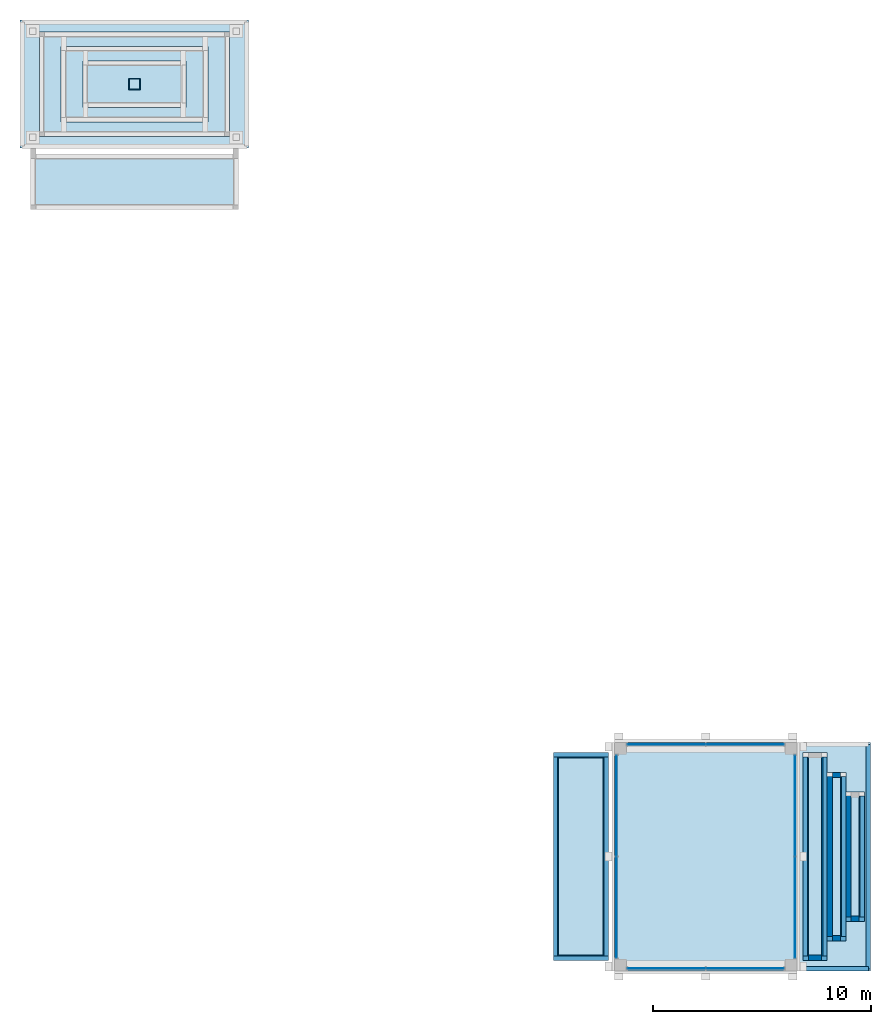
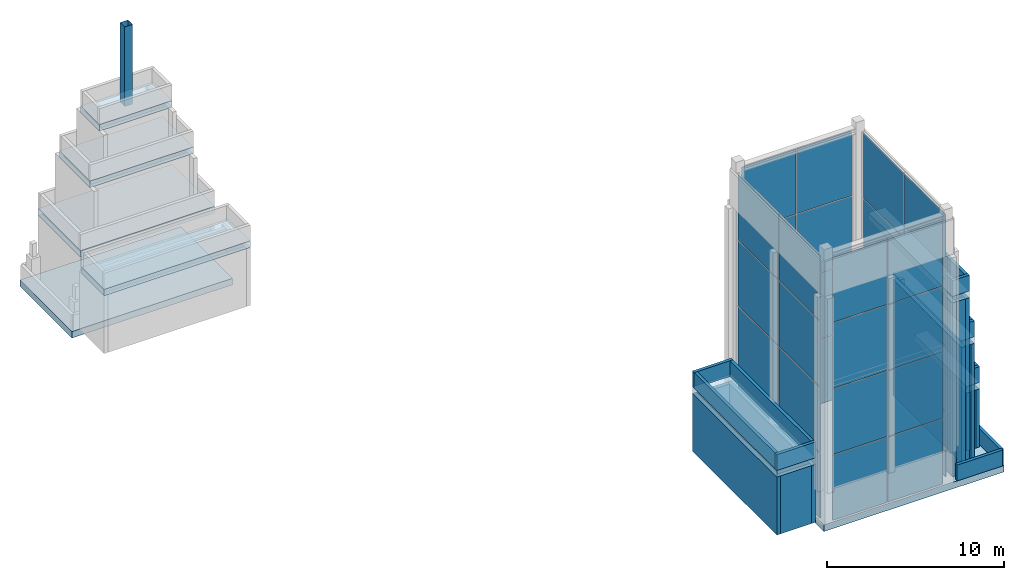
# One storey, part 2 of 4: 32 plates, 27 walls, 10 slabs, 1 member, 4 elements without a shape of their own.
"""IFC4 building model written with IfcOpenShell, lengths in metres."""

from ifc_helpers import new_model, si_unit, direction, frame, frame_2d, origin, origin_2d, place, context, subcontext, project, spatial, polyline, rectangle, hollow_rectangle, outline, extrude, source, transform, mapped, material, layer, layer_set, material_profile, profile_set, type_object, element, aggregate, save


model = new_model("IFC4")

# Units and contexts
model_context = context("Model", 3, precision=1e-05, world=origin(), true_north=direction((0.0, 1.0)))
body_context = subcontext(model_context, "Body", "Model", "MODEL_VIEW")
ifc_project = project(units=[si_unit("LENGTHUNIT", "METRE"), si_unit("AREAUNIT", "SQUARE_METRE"), si_unit("VOLUMEUNIT", "CUBIC_METRE"), si_unit("PLANEANGLEUNIT", "RADIAN"), si_unit("MASSUNIT", "GRAM", prefix="KILO")], contexts=[model_context])

# Site, building, storey
site_placement = place(None, origin())
site = spatial("IfcSite", under=ifc_project, at=site_placement, CompositionType="ELEMENT")
building_placement = place(site_placement, origin())
building = spatial("IfcBuilding", under=site, at=building_placement, Name="Aurelian Terraces", CompositionType="ELEMENT")
storey_placement = place(building_placement, frame((0.0, 0.0, 384.5)))
storey = spatial("IfcBuildingStorey", under=building, at=storey_placement, Name="L92", CompositionType="ELEMENT", Elevation=384.5)

# Member
ifc_material_1 = material(Name="Steel ASTM A500 Gr C", Category="steel")
ifc_material_profile = material_profile(ifc_material_1, hollow_rectangle(XDim=0.508, YDim=0.508, WallThickness=0.0148, at=origin_2d()))
ifc_profile_set = profile_set([ifc_material_profile], Name="Steel ASTM A500 Gr C")
member_type = type_object("IfcMemberType", Name="SPIRE MAST HSS20X20X5/8", PredefinedType="STUD", material=ifc_profile_set)
member_placement = place(storey_placement, frame((15.75, 40.74, 12.15), z_axis=(0.0, 0.0, 1.0), x_axis=(1.0, 0.0, 0.0)))
element("IfcMember", 1, at=member_placement, inside=storey, type_object=member_type, Name="Peak B mast", PredefinedType="STUD", context=body_context, shape_type="SweptSolid", body=[
    extrude(hollow_rectangle(XDim=0.508, YDim=0.508, WallThickness=0.0148, at=origin_2d()), origin(), (0.0, 0.0, 1.0), 5.5),
])

# Slabs
ifc_material_2 = material(Name="Concrete fc' 40 MPa", Category="concrete")
ifc_layer_1 = layer(ifc_material_2, 0.45)
ifc_layer_set_1 = layer_set([ifc_layer_1], Name="CROWN ROOF SLAB 450")
slab_type_1 = type_object("IfcSlabType", Name="CROWN ROOF SLAB 450", PredefinedType="ROOF", material=ifc_layer_set_1)
slab_1_placement = place(storey_placement, frame((0.0, 0.0, 12.0)))
element("IfcSlab", 2, at=slab_1_placement, inside=storey, type_object=slab_type_1, Name="Crown tier roof slab A3S1", PredefinedType="ROOF", context=body_context, shape_type="SweptSolid", body=[
    extrude(outline(polyline([(47.578, 0.475), (47.578, 10.025), (46.475, 10.025), (46.475, 0.475), (47.578, 0.475)])), origin(), (0.0, 0.0, 1.0), 0.45),
])
slab_2_placement = place(storey_placement, frame((0.0, 0.0, 8.0)))
element("IfcSlab", 3, at=slab_2_placement, inside=storey, type_object=slab_type_1, Name="Crown tier roof slab A3S2", PredefinedType="ROOF", context=body_context, shape_type="SweptSolid", body=[
    extrude(outline(polyline([(48.432, 1.375), (48.432, 9.125), (47.578, 9.125), (47.578, 1.375), (48.432, 1.375)])), origin(), (0.0, 0.0, 1.0), 0.45),
])
slab_3_placement = place(storey_placement, frame((0.0, 0.0, 4.0)))
element("IfcSlab", 4, at=slab_3_placement, inside=storey, type_object=slab_type_1, Name="Crown tier roof slab A3S3", PredefinedType="ROOF", context=body_context, shape_type="SweptSolid", body=[
    extrude(outline(polyline([(49.285, 2.275), (49.285, 8.225), (48.432, 8.225), (48.432, 2.275), (49.285, 2.275)])), origin(), (0.0, 0.0, 1.0), 0.45),
])
slab_4_placement = place(storey_placement, frame((0.0, 0.0, 4.0)))
element("IfcSlab", 5, at=slab_4_placement, inside=storey, type_object=slab_type_1, Name="Crown tier roof slab A1S3", PredefinedType="ROOF", context=body_context, shape_type="SweptSolid", body=[
    extrude(outline(polyline([(37.525, 0.475), (37.525, 10.025), (34.992, 10.025), (34.992, 0.475), (37.525, 0.475)])), origin(), (0.0, 0.0, 1.0), 0.45),
])
slab_5_placement = place(storey_placement, frame((0.0, 0.0, 4.5)))
element("IfcSlab", 6, at=slab_5_placement, inside=storey, type_object=slab_type_1, Name="Crown tier roof slab B1", PredefinedType="ROOF", context=body_context, shape_type="SweptSolid", body=[
    extrude(outline(polyline([(20.125, 38.338), (20.125, 43.142), (11.375, 43.142), (11.375, 38.338), (20.125, 38.338)])), origin(), (0.0, 0.0, 1.0), 0.45),
])
slab_6_placement = place(storey_placement, frame((0.0, 0.0, 8.55)))
element("IfcSlab", 7, at=slab_6_placement, inside=storey, type_object=slab_type_1, Name="Crown tier roof slab B2", PredefinedType="ROOF", context=body_context, shape_type="SweptSolid", body=[
    extrude(outline(polyline([(19.125, 39.002), (19.125, 42.478), (12.375, 42.478), (12.375, 39.002), (19.125, 39.002)])), origin(), (0.0, 0.0, 1.0), 0.45),
])
slab_7_placement = place(storey_placement, frame((0.0, 0.0, 11.7)))
element("IfcSlab", 8, at=slab_7_placement, inside=storey, type_object=slab_type_1, Name="Crown tier roof slab B3", PredefinedType="ROOF", context=body_context, shape_type="SweptSolid", body=[
    extrude(outline(polyline([(18.125, 39.665), (18.125, 41.815), (13.375, 41.815), (13.375, 39.665), (18.125, 39.665)])), origin(), (0.0, 0.0, 1.0), 0.45),
])
slab_8_placement = place(storey_placement, frame((0.0, 0.0, 4.0)))
element("IfcSlab", 9, at=slab_8_placement, inside=storey, type_object=slab_type_1, Name="Crown tier roof slab BS3", PredefinedType="ROOF", context=body_context, shape_type="SweptSolid", body=[
    extrude(outline(polyline([(20.525, 34.992), (20.525, 37.525), (10.975, 37.525), (10.975, 34.992), (20.525, 34.992)])), origin(), (0.0, 0.0, 1.0), 0.45),
])

# Curtain wall, plates
ifc_material_3 = material(Name="Anodised aluminium and clear glazing", Category="aluminium")
ifc_layer_2 = layer(ifc_material_3, 0.2)
ifc_layer_set_2 = layer_set([ifc_layer_2], Name="Crown glazing curtain wall")
curtain_wall_type = type_object("IfcCurtainWallType", Name="Crown glazing curtain wall", PredefinedType="NOTDEFINED", material=ifc_layer_set_2)
curtain_wall_1_placement = place(storey_placement, origin())
curtain_wall_1 = element("IfcCurtainWall", 10, at=curtain_wall_1_placement, inside=storey, type_object=curtain_wall_type, Name="Crown glazing L92 F01.1", PredefinedType="NOTDEFINED")
ifc_material_4 = material(Name="Clear glazing", Category="glass")
ifc_layer_3 = layer(ifc_material_4, 0.028)
ifc_layer_set_3 = layer_set([ifc_layer_3], Name="Crown glazing glazing panel")
plate_type = type_object("IfcPlateType", Name="Crown glazing glazing panel", PredefinedType="CURTAIN_PANEL", material=ifc_layer_set_3)
plate_1_placement = place(storey_placement, frame((40.19, 0.1, 0.06), z_axis=(0.0, 0.0, 1.0), x_axis=(1.0, 0.0, 0.0)))
plate_1 = element("IfcPlate", 11, at=plate_1_placement, type_object=plate_type, Name="CW4 panel 1.1", PredefinedType="CURTAIN_PANEL", context=body_context, shape_type="SweptSolid", body=[
    extrude(rectangle(XDim=3.56, YDim=0.028, at=origin_2d()), origin(), (0.0, 0.0, 1.0), 4.4725),
])
plate_2_placement = place(storey_placement, frame((40.19, 0.1, 4.5925), z_axis=(0.0, 0.0, 1.0), x_axis=(1.0, 0.0, 0.0)))
plate_2 = element("IfcPlate", 12, at=plate_2_placement, type_object=plate_type, Name="CW4 panel 1.2", PredefinedType="CURTAIN_PANEL", context=body_context, shape_type="SweptSolid", body=[
    extrude(rectangle(XDim=3.56, YDim=0.028, at=origin_2d()), origin(), (0.0, 0.0, 1.0), 4.5025),
])

curtain_wall_2_placement = place(storey_placement, origin())
curtain_wall_2 = element("IfcCurtainWall", 13, at=curtain_wall_2_placement, inside=storey, type_object=curtain_wall_type, Name="Crown glazing L92 F02.1", PredefinedType="NOTDEFINED")
plate_3_placement = place(storey_placement, frame((46.1, 2.915, 0.06), z_axis=(0.0, 0.0, 1.0), x_axis=(0.0, 1.0, 0.0)))
plate_3 = element("IfcPlate", 14, at=plate_3_placement, type_object=plate_type, Name="CW4 panel 1.1", PredefinedType="CURTAIN_PANEL", context=body_context, shape_type="SweptSolid", body=[
    extrude(rectangle(XDim=4.61, YDim=0.028, at=origin_2d()), origin(), (0.0, 0.0, 1.0), 4.4725),
])
plate_4_placement = place(storey_placement, frame((46.1, 2.915, 4.5925), z_axis=(0.0, 0.0, 1.0), x_axis=(0.0, 1.0, 0.0)))
plate_4 = element("IfcPlate", 15, at=plate_4_placement, type_object=plate_type, Name="CW4 panel 1.2", PredefinedType="CURTAIN_PANEL", context=body_context, shape_type="SweptSolid", body=[
    extrude(rectangle(XDim=4.61, YDim=0.028, at=origin_2d()), origin(), (0.0, 0.0, 1.0), 4.5025),
])

# Slabs
ifc_layer_4 = layer(ifc_material_2, 0.45)
ifc_layer_set_4 = layer_set([ifc_layer_4], Name="Roof slab 450")
slab_type_2 = type_object("IfcSlabType", Name="Roof slab 450", PredefinedType="ROOF", material=ifc_layer_set_4)
slab_9_placement = place(storey_placement, frame((0.0, 0.0, -0.45)))
element("IfcSlab", 16, at=slab_9_placement, inside=storey, type_object=slab_type_2, Name="Roof slab L92 L92-X1", PredefinedType="ROOF", context=body_context, shape_type="SweptSolid", body=[
    extrude(outline(polyline([(37.8, 10.5), (49.56, 10.5), (49.56, 6.3), (49.56, 4.2), (49.56, 0.0), (46.2, 0.0), (37.8, 0.0), (37.8, 10.5)])), origin(), (0.0, 0.0, 1.0), 0.45),
])
slab_10_placement = place(storey_placement, frame((0.0, 0.0, -0.45)))
element("IfcSlab", 17, at=slab_10_placement, inside=storey, type_object=slab_type_2, Name="Roof slab L92 L92-X2", PredefinedType="ROOF", context=body_context, shape_type="SweptSolid", body=[
    extrude(outline(polyline([(16.8, 43.68), (21.0, 43.68), (21.0, 37.8), (10.5, 37.8), (10.5, 43.68), (14.7, 43.68), (16.8, 43.68)])), origin(), (0.0, 0.0, 1.0), 0.45),
])

# Plate
shared_shape_1 = source(origin(), body_context, "Body", "SweptSolid", [
    extrude(rectangle(XDim=3.56, YDim=0.028, at=origin_2d()), origin(), (0.0, 0.0, 1.0), 4.5025),
])
plate_5_placement = place(storey_placement, frame((40.19, 0.1, 9.1549), z_axis=(0.0, 0.0, 1.0), x_axis=(1.0, 0.0, 0.0)))
plate_5 = element("IfcPlate", 18, at=plate_5_placement, type_object=plate_type, Name="CW4 panel 1.3", PredefinedType="CURTAIN_PANEL", context=body_context, shape_type="MappedRepresentation", body=[
    mapped(shared_shape_1, transform((0.0, 0.0, 0.0), scale=1.0)),
])

plate_6_placement = place(storey_placement, frame((43.81, 0.1, 4.5925), z_axis=(0.0, 0.0, 1.0), x_axis=(1.0, 0.0, 0.0)))
plate_6 = element("IfcPlate", 19, at=plate_6_placement, type_object=plate_type, Name="CW4 panel 2.2", PredefinedType="CURTAIN_PANEL", context=body_context, shape_type="MappedRepresentation", body=[
    mapped(shared_shape_1, transform((0.0, 0.0, 0.0), scale=1.0)),
])

plate_7_placement = place(storey_placement, frame((43.81, 0.1, 9.1549), z_axis=(0.0, 0.0, 1.0), x_axis=(1.0, 0.0, 0.0)))
plate_7 = element("IfcPlate", 20, at=plate_7_placement, type_object=plate_type, Name="CW4 panel 2.3", PredefinedType="CURTAIN_PANEL", context=body_context, shape_type="MappedRepresentation", body=[
    mapped(shared_shape_1, transform((0.0, 0.0, 0.0), scale=1.0)),
])

# Curtain wall, plates
curtain_wall_3_placement = place(storey_placement, origin())
curtain_wall_3 = element("IfcCurtainWall", 21, at=curtain_wall_3_placement, inside=storey, type_object=curtain_wall_type, Name="Crown glazing L92 F03.1", PredefinedType="NOTDEFINED")
plate_8_placement = place(storey_placement, frame((43.81, 10.4, 4.5925), z_axis=(0.0, 0.0, 1.0), x_axis=(-1.0, 0.0, 0.0)))
plate_8 = element("IfcPlate", 22, at=plate_8_placement, type_object=plate_type, Name="CW4 panel 1.2", PredefinedType="CURTAIN_PANEL", context=body_context, shape_type="MappedRepresentation", body=[
    mapped(shared_shape_1, transform((0.0, 0.0, 0.0), scale=1.0)),
])
plate_9_placement = place(storey_placement, frame((43.81, 10.4, 9.1549), z_axis=(0.0, 0.0, 1.0), x_axis=(-1.0, 0.0, 0.0)))
plate_9 = element("IfcPlate", 23, at=plate_9_placement, type_object=plate_type, Name="CW4 panel 1.3", PredefinedType="CURTAIN_PANEL", context=body_context, shape_type="MappedRepresentation", body=[
    mapped(shared_shape_1, transform((0.0, 0.0, 0.0), scale=1.0)),
])
plate_10_placement = place(storey_placement, frame((40.19, 10.4, 4.5925), z_axis=(0.0, 0.0, 1.0), x_axis=(-1.0, 0.0, 0.0)))
plate_10 = element("IfcPlate", 24, at=plate_10_placement, type_object=plate_type, Name="CW4 panel 2.2", PredefinedType="CURTAIN_PANEL", context=body_context, shape_type="MappedRepresentation", body=[
    mapped(shared_shape_1, transform((0.0, 0.0, 0.0), scale=1.0)),
])
plate_11_placement = place(storey_placement, frame((40.19, 10.4, 9.1549), z_axis=(0.0, 0.0, 1.0), x_axis=(-1.0, 0.0, 0.0)))
plate_11 = element("IfcPlate", 25, at=plate_11_placement, type_object=plate_type, Name="CW4 panel 2.3", PredefinedType="CURTAIN_PANEL", context=body_context, shape_type="MappedRepresentation", body=[
    mapped(shared_shape_1, transform((0.0, 0.0, 0.0), scale=1.0)),
])

# Plate
shared_shape_2 = source(origin(), body_context, "Body", "SweptSolid", [
    extrude(rectangle(XDim=3.56, YDim=0.028, at=origin_2d()), origin(), (0.0, 0.0, 1.0), 4.4725),
])
plate_12_placement = place(storey_placement, frame((40.19, 0.1, 13.7176), z_axis=(0.0, 0.0, 1.0), x_axis=(1.0, 0.0, 0.0)))
plate_12 = element("IfcPlate", 26, at=plate_12_placement, type_object=plate_type, Name="CW4 panel 1.4", PredefinedType="CURTAIN_PANEL", context=body_context, shape_type="MappedRepresentation", body=[
    mapped(shared_shape_2, transform((0.0, 0.0, 0.0), scale=1.0)),
])

plate_13_placement = place(storey_placement, frame((43.81, 0.1, 0.06), z_axis=(0.0, 0.0, 1.0), x_axis=(1.0, 0.0, 0.0)))
plate_13 = element("IfcPlate", 27, at=plate_13_placement, type_object=plate_type, Name="CW4 panel 2.1", PredefinedType="CURTAIN_PANEL", context=body_context, shape_type="MappedRepresentation", body=[
    mapped(shared_shape_2, transform((0.0, 0.0, 0.0), scale=1.0)),
])

plate_14_placement = place(storey_placement, frame((43.81, 0.1, 13.7176), z_axis=(0.0, 0.0, 1.0), x_axis=(1.0, 0.0, 0.0)))
plate_14 = element("IfcPlate", 28, at=plate_14_placement, type_object=plate_type, Name="CW4 panel 2.4", PredefinedType="CURTAIN_PANEL", context=body_context, shape_type="MappedRepresentation", body=[
    mapped(shared_shape_2, transform((0.0, 0.0, 0.0), scale=1.0)),
])

aggregate(curtain_wall_1, [plate_1, plate_2, plate_5, plate_12, plate_13, plate_6, plate_7, plate_14])

plate_15_placement = place(storey_placement, frame((43.81, 10.4, 0.06), z_axis=(0.0, 0.0, 1.0), x_axis=(-1.0, 0.0, 0.0)))
plate_15 = element("IfcPlate", 29, at=plate_15_placement, type_object=plate_type, Name="CW4 panel 1.1", PredefinedType="CURTAIN_PANEL", context=body_context, shape_type="MappedRepresentation", body=[
    mapped(shared_shape_2, transform((0.0, 0.0, 0.0), scale=1.0)),
])

plate_16_placement = place(storey_placement, frame((43.81, 10.4, 13.7176), z_axis=(0.0, 0.0, 1.0), x_axis=(-1.0, 0.0, 0.0)))
plate_16 = element("IfcPlate", 30, at=plate_16_placement, type_object=plate_type, Name="CW4 panel 1.4", PredefinedType="CURTAIN_PANEL", context=body_context, shape_type="MappedRepresentation", body=[
    mapped(shared_shape_2, transform((0.0, 0.0, 0.0), scale=1.0)),
])

plate_17_placement = place(storey_placement, frame((40.19, 10.4, 0.06), z_axis=(0.0, 0.0, 1.0), x_axis=(-1.0, 0.0, 0.0)))
plate_17 = element("IfcPlate", 31, at=plate_17_placement, type_object=plate_type, Name="CW4 panel 2.1", PredefinedType="CURTAIN_PANEL", context=body_context, shape_type="MappedRepresentation", body=[
    mapped(shared_shape_2, transform((0.0, 0.0, 0.0), scale=1.0)),
])

plate_18_placement = place(storey_placement, frame((40.19, 10.4, 13.7176), z_axis=(0.0, 0.0, 1.0), x_axis=(-1.0, 0.0, 0.0)))
plate_18 = element("IfcPlate", 32, at=plate_18_placement, type_object=plate_type, Name="CW4 panel 2.4", PredefinedType="CURTAIN_PANEL", context=body_context, shape_type="MappedRepresentation", body=[
    mapped(shared_shape_2, transform((0.0, 0.0, 0.0), scale=1.0)),
])

aggregate(curtain_wall_3, [plate_15, plate_8, plate_9, plate_16, plate_17, plate_10, plate_11, plate_18])

shared_shape_3 = source(origin(), body_context, "Body", "SweptSolid", [
    extrude(rectangle(XDim=4.61, YDim=0.028, at=origin_2d()), origin(), (0.0, 0.0, 1.0), 4.5025),
])
plate_19_placement = place(storey_placement, frame((46.1, 2.915, 9.1549), z_axis=(0.0, 0.0, 1.0), x_axis=(0.0, 1.0, 0.0)))
plate_19 = element("IfcPlate", 33, at=plate_19_placement, type_object=plate_type, Name="CW4 panel 1.3", PredefinedType="CURTAIN_PANEL", context=body_context, shape_type="MappedRepresentation", body=[
    mapped(shared_shape_3, transform((0.0, 0.0, 0.0), scale=1.0)),
])

plate_20_placement = place(storey_placement, frame((46.1, 7.585, 4.5925), z_axis=(0.0, 0.0, 1.0), x_axis=(0.0, 1.0, 0.0)))
plate_20 = element("IfcPlate", 34, at=plate_20_placement, type_object=plate_type, Name="CW4 panel 2.2", PredefinedType="CURTAIN_PANEL", context=body_context, shape_type="MappedRepresentation", body=[
    mapped(shared_shape_3, transform((0.0, 0.0, 0.0), scale=1.0)),
])

plate_21_placement = place(storey_placement, frame((46.1, 7.585, 9.1549), z_axis=(0.0, 0.0, 1.0), x_axis=(0.0, 1.0, 0.0)))
plate_21 = element("IfcPlate", 35, at=plate_21_placement, type_object=plate_type, Name="CW4 panel 2.3", PredefinedType="CURTAIN_PANEL", context=body_context, shape_type="MappedRepresentation", body=[
    mapped(shared_shape_3, transform((0.0, 0.0, 0.0), scale=1.0)),
])

# Curtain wall, plates
curtain_wall_4_placement = place(storey_placement, origin())
curtain_wall_4 = element("IfcCurtainWall", 36, at=curtain_wall_4_placement, inside=storey, type_object=curtain_wall_type, Name="Crown glazing L92 F04.1", PredefinedType="NOTDEFINED")
plate_22_placement = place(storey_placement, frame((37.9, 7.585, 4.5925), z_axis=(0.0, 0.0, 1.0), x_axis=(0.0, -1.0, 0.0)))
plate_22 = element("IfcPlate", 37, at=plate_22_placement, type_object=plate_type, Name="CW4 panel 1.2", PredefinedType="CURTAIN_PANEL", context=body_context, shape_type="MappedRepresentation", body=[
    mapped(shared_shape_3, transform((0.0, 0.0, 0.0), scale=1.0)),
])
plate_23_placement = place(storey_placement, frame((37.9, 7.585, 9.1549), z_axis=(0.0, 0.0, 1.0), x_axis=(0.0, -1.0, 0.0)))
plate_23 = element("IfcPlate", 38, at=plate_23_placement, type_object=plate_type, Name="CW4 panel 1.3", PredefinedType="CURTAIN_PANEL", context=body_context, shape_type="MappedRepresentation", body=[
    mapped(shared_shape_3, transform((0.0, 0.0, 0.0), scale=1.0)),
])
plate_24_placement = place(storey_placement, frame((37.9, 2.915, 4.5925), z_axis=(0.0, 0.0, 1.0), x_axis=(0.0, -1.0, 0.0)))
plate_24 = element("IfcPlate", 39, at=plate_24_placement, type_object=plate_type, Name="CW4 panel 2.2", PredefinedType="CURTAIN_PANEL", context=body_context, shape_type="MappedRepresentation", body=[
    mapped(shared_shape_3, transform((0.0, 0.0, 0.0), scale=1.0)),
])
plate_25_placement = place(storey_placement, frame((37.9, 2.915, 9.1549), z_axis=(0.0, 0.0, 1.0), x_axis=(0.0, -1.0, 0.0)))
plate_25 = element("IfcPlate", 40, at=plate_25_placement, type_object=plate_type, Name="CW4 panel 2.3", PredefinedType="CURTAIN_PANEL", context=body_context, shape_type="MappedRepresentation", body=[
    mapped(shared_shape_3, transform((0.0, 0.0, 0.0), scale=1.0)),
])

# Plate
shared_shape_4 = source(origin(), body_context, "Body", "SweptSolid", [
    extrude(rectangle(XDim=4.61, YDim=0.028, at=origin_2d()), origin(), (0.0, 0.0, 1.0), 4.4725),
])
plate_26_placement = place(storey_placement, frame((46.1, 2.915, 13.7176), z_axis=(0.0, 0.0, 1.0), x_axis=(0.0, 1.0, 0.0)))
plate_26 = element("IfcPlate", 41, at=plate_26_placement, type_object=plate_type, Name="CW4 panel 1.4", PredefinedType="CURTAIN_PANEL", context=body_context, shape_type="MappedRepresentation", body=[
    mapped(shared_shape_4, transform((0.0, 0.0, 0.0), scale=1.0)),
])

plate_27_placement = place(storey_placement, frame((46.1, 7.585, 0.06), z_axis=(0.0, 0.0, 1.0), x_axis=(0.0, 1.0, 0.0)))
plate_27 = element("IfcPlate", 42, at=plate_27_placement, type_object=plate_type, Name="CW4 panel 2.1", PredefinedType="CURTAIN_PANEL", context=body_context, shape_type="MappedRepresentation", body=[
    mapped(shared_shape_4, transform((0.0, 0.0, 0.0), scale=1.0)),
])

plate_28_placement = place(storey_placement, frame((46.1, 7.585, 13.7176), z_axis=(0.0, 0.0, 1.0), x_axis=(0.0, 1.0, 0.0)))
plate_28 = element("IfcPlate", 43, at=plate_28_placement, type_object=plate_type, Name="CW4 panel 2.4", PredefinedType="CURTAIN_PANEL", context=body_context, shape_type="MappedRepresentation", body=[
    mapped(shared_shape_4, transform((0.0, 0.0, 0.0), scale=1.0)),
])

aggregate(curtain_wall_2, [plate_3, plate_4, plate_19, plate_26, plate_27, plate_20, plate_21, plate_28])

plate_29_placement = place(storey_placement, frame((37.9, 7.585, 0.06), z_axis=(0.0, 0.0, 1.0), x_axis=(0.0, -1.0, 0.0)))
plate_29 = element("IfcPlate", 44, at=plate_29_placement, type_object=plate_type, Name="CW4 panel 1.1", PredefinedType="CURTAIN_PANEL", context=body_context, shape_type="MappedRepresentation", body=[
    mapped(shared_shape_4, transform((0.0, 0.0, 0.0), scale=1.0)),
])

plate_30_placement = place(storey_placement, frame((37.9, 7.585, 13.7176), z_axis=(0.0, 0.0, 1.0), x_axis=(0.0, -1.0, 0.0)))
plate_30 = element("IfcPlate", 45, at=plate_30_placement, type_object=plate_type, Name="CW4 panel 1.4", PredefinedType="CURTAIN_PANEL", context=body_context, shape_type="MappedRepresentation", body=[
    mapped(shared_shape_4, transform((0.0, 0.0, 0.0), scale=1.0)),
])

plate_31_placement = place(storey_placement, frame((37.9, 2.915, 0.06), z_axis=(0.0, 0.0, 1.0), x_axis=(0.0, -1.0, 0.0)))
plate_31 = element("IfcPlate", 46, at=plate_31_placement, type_object=plate_type, Name="CW4 panel 2.1", PredefinedType="CURTAIN_PANEL", context=body_context, shape_type="MappedRepresentation", body=[
    mapped(shared_shape_4, transform((0.0, 0.0, 0.0), scale=1.0)),
])

plate_32_placement = place(storey_placement, frame((37.9, 2.915, 13.7176), z_axis=(0.0, 0.0, 1.0), x_axis=(0.0, -1.0, 0.0)))
plate_32 = element("IfcPlate", 47, at=plate_32_placement, type_object=plate_type, Name="CW4 panel 2.4", PredefinedType="CURTAIN_PANEL", context=body_context, shape_type="MappedRepresentation", body=[
    mapped(shared_shape_4, transform((0.0, 0.0, 0.0), scale=1.0)),
])

aggregate(curtain_wall_4, [plate_29, plate_22, plate_23, plate_30, plate_31, plate_24, plate_25, plate_32])

# Walls
ifc_layer_5 = layer(ifc_material_2, 0.2)
ifc_layer_set_5 = layer_set([ifc_layer_5], Name="CROWN PARAPET 200 FC40")
wall_type_1 = type_object("IfcWallType", Name="CROWN PARAPET 200 FC40", PredefinedType="SOLIDWALL", material=ifc_layer_set_5)
wall_1_placement = place(storey_placement, frame((46.475, 0.575, 12.45), z_axis=(0.0, 0.0, 1.0), x_axis=(1.0, 0.0, 0.0)))
element("IfcWall", 48, at=wall_1_placement, inside=storey, type_object=wall_type_1, Name="Crown roof parapet A3S1", PredefinedType="SOLIDWALL", context=body_context, shape_type="SweptSolid", body=[
    extrude(rectangle(XDim=1.103, YDim=0.2, at=frame_2d((0.5515, 0.0))), origin(), (0.0, 0.0, 1.0), 1.1),
])
wall_2_placement = place(storey_placement, frame((47.578, 1.475, 8.45), z_axis=(0.0, 0.0, 1.0), x_axis=(1.0, 0.0, 0.0)))
element("IfcWall", 49, at=wall_2_placement, inside=storey, type_object=wall_type_1, Name="Crown roof parapet A3S2", PredefinedType="SOLIDWALL", context=body_context, shape_type="SweptSolid", body=[
    extrude(rectangle(XDim=0.854, YDim=0.2, at=frame_2d((0.427, 0.0))), origin(), (0.0, 0.0, 1.0), 1.1),
])
wall_3_placement = place(storey_placement, frame((48.432, 2.375, 4.45), z_axis=(0.0, 0.0, 1.0), x_axis=(1.0, 0.0, 0.0)))
element("IfcWall", 50, at=wall_3_placement, inside=storey, type_object=wall_type_1, Name="Crown roof parapet A3S3", PredefinedType="SOLIDWALL", context=body_context, shape_type="SweptSolid", body=[
    extrude(rectangle(XDim=0.853, YDim=0.2, at=frame_2d((0.4265, 0.0))), origin(), (0.0, 0.0, 1.0), 1.1),
])
wall_4_placement = place(storey_placement, frame((49.185, 2.475, 4.45), z_axis=(0.0, 0.0, 1.0), x_axis=(0.0, 1.0, 0.0)))
element("IfcWall", 51, at=wall_4_placement, inside=storey, type_object=wall_type_1, Name="Crown roof parapet A3S3", PredefinedType="SOLIDWALL", context=body_context, shape_type="SweptSolid", body=[
    extrude(rectangle(XDim=5.55, YDim=0.2, at=frame_2d((2.775, 0.0))), origin(), (0.0, 0.0, 1.0), 1.1),
])
wall_5_placement = place(storey_placement, frame((34.992, 0.575, 4.45), z_axis=(0.0, 0.0, 1.0), x_axis=(1.0, 0.0, 0.0)))
element("IfcWall", 52, at=wall_5_placement, inside=storey, type_object=wall_type_1, Name="Crown roof parapet A1S3", PredefinedType="SOLIDWALL", context=body_context, shape_type="SweptSolid", body=[
    extrude(rectangle(XDim=2.533, YDim=0.2, at=frame_2d((1.2665, 0.0))), origin(), (0.0, 0.0, 1.0), 1.1),
])
ifc_material_5 = material(Name="Terracotta rainscreen cladding", Category="masonry")
ifc_layer_6 = layer(ifc_material_5, 0.2)
ifc_layer_set_6 = layer_set([ifc_layer_6], Name="PARAPET-200")
wall_type_2 = type_object("IfcWallType", Name="PARAPET-200", PredefinedType="PARAPET", material=ifc_layer_set_6)
wall_6_placement = place(storey_placement, frame((49.47, 10.41, 0.0), z_axis=(0.0, 0.0, 1.0), x_axis=(0.0, -1.0, 0.0)))
element("IfcWall", 53, at=wall_6_placement, inside=storey, type_object=wall_type_2, Name="Parapet L92 L92-X1", PredefinedType="PARAPET", context=body_context, shape_type="SweptSolid", body=[
    extrude(rectangle(XDim=10.32, YDim=0.2, at=frame_2d((5.16, 0.0))), origin(), (0.0, 0.0, 1.0), 1.1),
])
ifc_material_6 = material(Name="Concrete fc' 55 MPa", Category="concrete")
ifc_layer_7 = layer(ifc_material_6, 0.25)
ifc_layer_set_7 = layer_set([ifc_layer_7], Name="PLANT PENTHOUSE 250 FC55")
wall_type_3 = type_object("IfcWallType", Name="PLANT PENTHOUSE 250 FC55", PredefinedType="SOLIDWALL", material=ifc_layer_set_7)
wall_7_placement = place(storey_placement, frame((46.725, 0.6, 0.0), z_axis=(0.0, 0.0, 1.0), x_axis=(1.0, 0.0, 0.0)))
element("IfcWall", 54, at=wall_7_placement, inside=storey, type_object=wall_type_3, Name="Crown tier wall A3S1", PredefinedType="SOLIDWALL", context=body_context, shape_type="SweptSolid", body=[
    extrude(rectangle(XDim=0.603, YDim=0.25, at=frame_2d((0.3015, 0.0))), origin(), (0.0, 0.0, 1.0), 12.0),
])
wall_8_placement = place(storey_placement, frame((47.453, 0.475, 0.0), z_axis=(0.0, 0.0, 1.0), x_axis=(0.0, 1.0, 0.0)))
element("IfcWall", 55, at=wall_8_placement, inside=storey, type_object=wall_type_3, Name="Crown tier wall A3S1", PredefinedType="SOLIDWALL", context=body_context, shape_type="SweptSolid", body=[
    extrude(rectangle(XDim=9.55, YDim=0.25, at=frame_2d((4.775, 0.0))), origin(), (0.0, 0.0, 1.0), 12.0),
])
wall_9_placement = place(storey_placement, frame((47.828, 1.5, 0.0), z_axis=(0.0, 0.0, 1.0), x_axis=(1.0, 0.0, 0.0)))
element("IfcWall", 56, at=wall_9_placement, inside=storey, type_object=wall_type_3, Name="Crown tier wall A3S2", PredefinedType="SOLIDWALL", context=body_context, shape_type="SweptSolid", body=[
    extrude(rectangle(XDim=0.354, YDim=0.25, at=frame_2d((0.177, 0.0))), origin(), (0.0, 0.0, 1.0), 8.0),
])
wall_10_placement = place(storey_placement, frame((48.682, 2.4, 0.0), z_axis=(0.0, 0.0, 1.0), x_axis=(1.0, 0.0, 0.0)))
element("IfcWall", 57, at=wall_10_placement, inside=storey, type_object=wall_type_3, Name="Crown tier wall A3S3", PredefinedType="SOLIDWALL", context=body_context, shape_type="SweptSolid", body=[
    extrude(rectangle(XDim=0.353, YDim=0.25, at=frame_2d((0.1765, 0.0))), origin(), (0.0, 0.0, 1.0), 4.0),
])
wall_11_placement = place(storey_placement, frame((49.16, 2.275, 0.0), z_axis=(0.0, 0.0, 1.0), x_axis=(0.0, 1.0, 0.0)))
element("IfcWall", 58, at=wall_11_placement, inside=storey, type_object=wall_type_3, Name="Crown tier wall A3S3", PredefinedType="SOLIDWALL", context=body_context, shape_type="SweptSolid", body=[
    extrude(rectangle(XDim=5.95, YDim=0.25, at=frame_2d((2.975, 0.0))), origin(), (0.0, 0.0, 1.0), 4.0),
])
wall_12_placement = place(storey_placement, frame((35.242, 0.6, 0.0), z_axis=(0.0, 0.0, 1.0), x_axis=(1.0, 0.0, 0.0)))
element("IfcWall", 59, at=wall_12_placement, inside=storey, type_object=wall_type_3, Name="Crown tier wall A1S3", PredefinedType="SOLIDWALL", context=body_context, shape_type="SweptSolid", body=[
    extrude(rectangle(XDim=2.033, YDim=0.25, at=frame_2d((1.0165, 0.0))), origin(), (0.0, 0.0, 1.0), 4.0),
])
wall_13_placement = place(storey_placement, frame((37.4, 0.475, 0.0), z_axis=(0.0, 0.0, 1.0), x_axis=(0.0, 1.0, 0.0)))
element("IfcWall", 60, at=wall_13_placement, inside=storey, type_object=wall_type_3, Name="Crown tier wall A1S3", PredefinedType="SOLIDWALL", context=body_context, shape_type="SweptSolid", body=[
    extrude(rectangle(XDim=9.55, YDim=0.25, at=frame_2d((4.775, 0.0))), origin(), (0.0, 0.0, 1.0), 4.0),
])
shared_shape_5 = source(origin(), body_context, "Body", "SweptSolid", [
    extrude(rectangle(XDim=9.15, YDim=0.2, at=frame_2d((4.575, 0.0))), origin(), (0.0, 0.0, 1.0), 1.1),
])
for number, where, z_axis, x_axis, name in (
    (61, (47.478, 0.675, 12.45), (0.0, 0.0, 1.0), (0.0, 1.0, 0.0), "Crown roof parapet A3S1"),
    (62, (46.575, 0.675, 12.45), (0.0, 0.0, 1.0), (0.0, 1.0, 0.0), "Crown roof parapet A3S1"),
    (63, (37.425, 0.675, 4.45), (0.0, 0.0, 1.0), (0.0, 1.0, 0.0), "Crown roof parapet A1S3"),
    (64, (35.092, 0.675, 4.45), (0.0, 0.0, 1.0), (0.0, 1.0, 0.0), "Crown roof parapet A1S3"),
):
    element("IfcWall", number, at=place(storey_placement, frame(where, z_axis=z_axis, x_axis=x_axis)), inside=storey, type_object=wall_type_1, Name=name, PredefinedType="SOLIDWALL", context=body_context, shape_type="MappedRepresentation", body=[
        mapped(shared_shape_5, transform((0.0, 0.0, 0.0), scale=1.0)),
    ])
shared_shape_6 = source(origin(), body_context, "Body", "SweptSolid", [
    extrude(rectangle(XDim=7.75, YDim=0.25, at=frame_2d((3.875, 0.0))), origin(), (0.0, 0.0, 1.0), 8.0),
])
for number, where, z_axis, x_axis, name in (
    (65, (48.307, 1.375, 0.0), (0.0, 0.0, 1.0), (0.0, 1.0, 0.0), "Crown tier wall A3S2"),
    (66, (47.703, 9.125, 0.0), (0.0, 0.0, 1.0), (0.0, -1.0, 0.0), "Crown tier wall A3S2"),
):
    element("IfcWall", number, at=place(storey_placement, frame(where, z_axis=z_axis, x_axis=x_axis)), inside=storey, type_object=wall_type_3, Name=name, PredefinedType="SOLIDWALL", context=body_context, shape_type="MappedRepresentation", body=[
        mapped(shared_shape_6, transform((0.0, 0.0, 0.0), scale=1.0)),
    ])
shared_shape_7 = source(origin(), body_context, "Body", "SweptSolid", [
    extrude(rectangle(XDim=7.35, YDim=0.2, at=frame_2d((3.675, 0.0))), origin(), (0.0, 0.0, 1.0), 1.1),
])
wall_14_placement = place(storey_placement, frame((48.332, 1.575, 8.45), z_axis=(0.0, 0.0, 1.0), x_axis=(0.0, 1.0, 0.0)))
element("IfcWall", 67, at=wall_14_placement, inside=storey, type_object=wall_type_1, Name="Crown roof parapet A3S2", PredefinedType="SOLIDWALL", context=body_context, shape_type="MappedRepresentation", body=[
    mapped(shared_shape_7, transform((0.0, 0.0, 0.0), scale=1.0)),
])
shared_shape_8 = source(origin(), body_context, "Body", "SweptSolid", [
    extrude(rectangle(XDim=9.55, YDim=0.25, at=frame_2d((4.775, 0.0))), origin(), (0.0, 0.0, 1.0), 12.0),
])
wall_15_placement = place(storey_placement, frame((46.6, 10.025, 0.0), z_axis=(0.0, 0.0, 1.0), x_axis=(0.0, -1.0, 0.0)))
element("IfcWall", 68, at=wall_15_placement, inside=storey, type_object=wall_type_3, Name="Crown tier wall A3S1", PredefinedType="SOLIDWALL", context=body_context, shape_type="MappedRepresentation", body=[
    mapped(shared_shape_8, transform((0.0, 0.0, 0.0), scale=1.0)),
])
shared_shape_9 = source(origin(), body_context, "Body", "SweptSolid", [
    extrude(rectangle(XDim=0.354, YDim=0.25, at=frame_2d((0.177, 0.0))), origin(), (0.0, 0.0, 1.0), 8.0),
])
wall_16_placement = place(storey_placement, frame((48.182, 9.0, 0.0), z_axis=(0.0, 0.0, 1.0), x_axis=(-1.0, 0.0, 0.0)))
element("IfcWall", 69, at=wall_16_placement, inside=storey, type_object=wall_type_3, Name="Crown tier wall A3S2", PredefinedType="SOLIDWALL", context=body_context, shape_type="MappedRepresentation", body=[
    mapped(shared_shape_9, transform((0.0, 0.0, 0.0), scale=1.0)),
])
shared_shape_10 = source(origin(), body_context, "Body", "SweptSolid", [
    extrude(rectangle(XDim=5.95, YDim=0.25, at=frame_2d((2.975, 0.0))), origin(), (0.0, 0.0, 1.0), 4.0),
])
wall_17_placement = place(storey_placement, frame((48.557, 8.225, 0.0), z_axis=(0.0, 0.0, 1.0), x_axis=(0.0, -1.0, 0.0)))
element("IfcWall", 70, at=wall_17_placement, inside=storey, type_object=wall_type_3, Name="Crown tier wall A3S3", PredefinedType="SOLIDWALL", context=body_context, shape_type="MappedRepresentation", body=[
    mapped(shared_shape_10, transform((0.0, 0.0, 0.0), scale=1.0)),
])
shared_shape_11 = source(origin(), body_context, "Body", "SweptSolid", [
    extrude(rectangle(XDim=2.033, YDim=0.25, at=frame_2d((1.0165, 0.0))), origin(), (0.0, 0.0, 1.0), 4.0),
])
wall_18_placement = place(storey_placement, frame((37.275, 9.9, 0.0), z_axis=(0.0, 0.0, 1.0), x_axis=(-1.0, 0.0, 0.0)))
element("IfcWall", 71, at=wall_18_placement, inside=storey, type_object=wall_type_3, Name="Crown tier wall A1S3", PredefinedType="SOLIDWALL", context=body_context, shape_type="MappedRepresentation", body=[
    mapped(shared_shape_11, transform((0.0, 0.0, 0.0), scale=1.0)),
])
shared_shape_12 = source(origin(), body_context, "Body", "SweptSolid", [
    extrude(rectangle(XDim=9.55, YDim=0.25, at=frame_2d((4.775, 0.0))), origin(), (0.0, 0.0, 1.0), 4.0),
])
wall_19_placement = place(storey_placement, frame((35.117, 10.025, 0.0), z_axis=(0.0, 0.0, 1.0), x_axis=(0.0, -1.0, 0.0)))
element("IfcWall", 72, at=wall_19_placement, inside=storey, type_object=wall_type_3, Name="Crown tier wall A1S3", PredefinedType="SOLIDWALL", context=body_context, shape_type="MappedRepresentation", body=[
    mapped(shared_shape_12, transform((0.0, 0.0, 0.0), scale=1.0)),
])
shared_shape_13 = source(origin(), body_context, "Body", "SweptSolid", [
    extrude(rectangle(XDim=2.533, YDim=0.2, at=frame_2d((1.2665, 0.0))), origin(), (0.0, 0.0, 1.0), 1.1),
])
wall_20_placement = place(storey_placement, frame((34.992, 9.925, 4.45), z_axis=(0.0, 0.0, 1.0), x_axis=(1.0, 0.0, 0.0)))
element("IfcWall", 73, at=wall_20_placement, inside=storey, type_object=wall_type_1, Name="Crown roof parapet A1S3", PredefinedType="SOLIDWALL", context=body_context, shape_type="MappedRepresentation", body=[
    mapped(shared_shape_13, transform((0.0, 0.0, 0.0), scale=1.0)),
])
shared_shape_14 = source(origin(), body_context, "Body", "SweptSolid", [
    extrude(rectangle(XDim=2.97, YDim=0.2, at=frame_2d((1.485, 0.0))), origin(), (0.0, 0.0, 1.0), 1.1),
])
wall_21_placement = place(storey_placement, frame((49.47, 0.09, 0.0), z_axis=(0.0, 0.0, 1.0), x_axis=(-1.0, 0.0, 0.0)))
element("IfcWall", 74, at=wall_21_placement, inside=storey, type_object=wall_type_2, Name="Parapet L92 L92-X1", PredefinedType="PARAPET", context=body_context, shape_type="MappedRepresentation", body=[
    mapped(shared_shape_14, transform((0.0, 0.0, 0.0), scale=1.0)),
])

save(model, "model.ifc")
